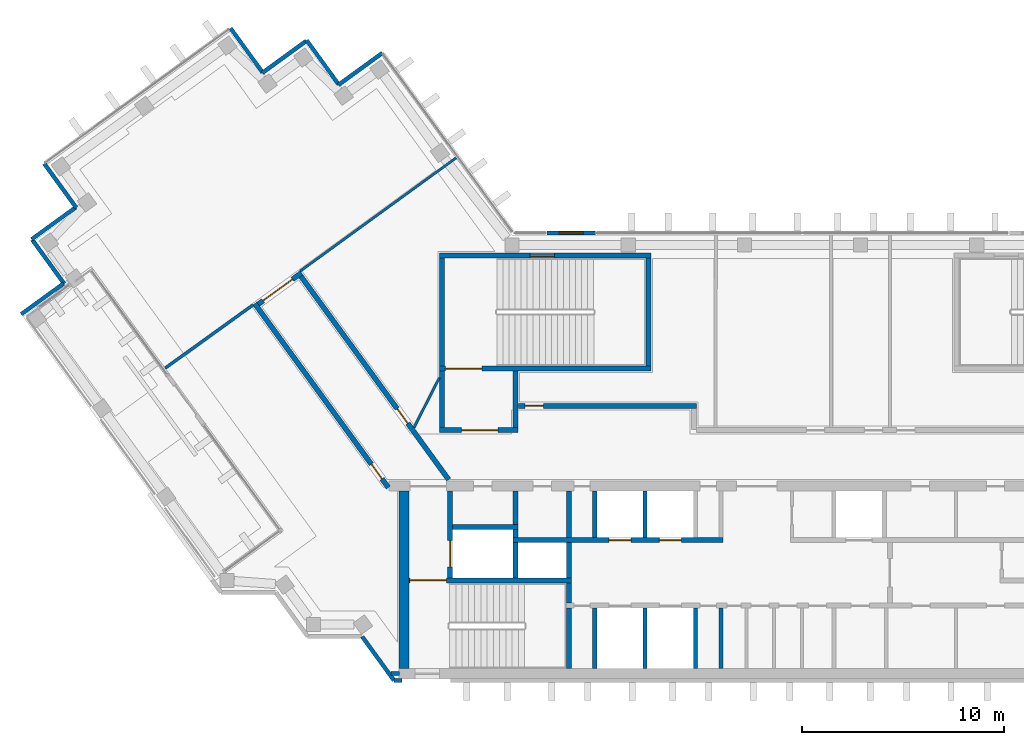
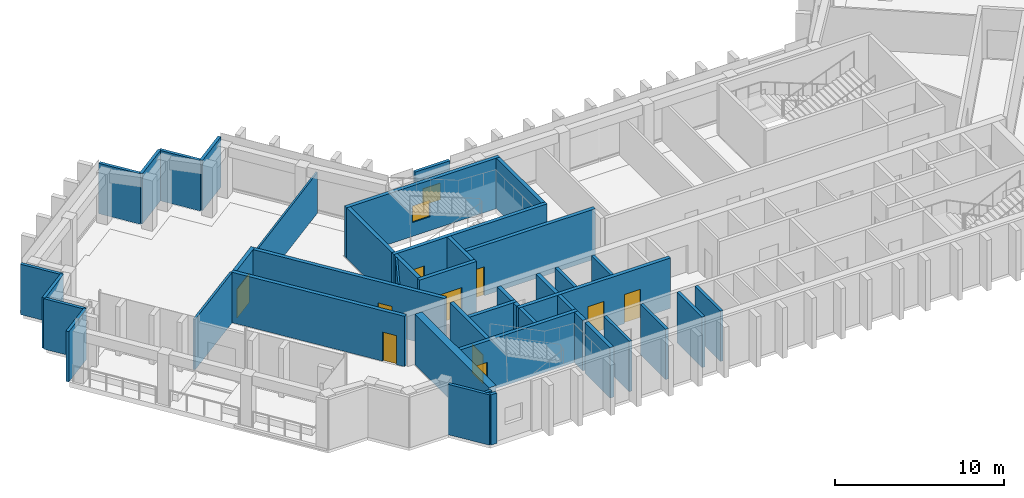
# One storey, part 5 of 10: 44 walls, 10 doors, 2 windows, 12 openings.
"""IFC4 building model written with IfcOpenShell, lengths in metres."""

from ifc_helpers import new_model, si_unit, direction, frame, frame_2d, origin, place, context, subcontext, project, spatial, rectangle, extrude, material, layer, layer_set, type_object, element, fill, save


model = new_model("IFC4")

# Units and contexts
model_context = context("Model", 3, precision=1e-05, world=origin(), true_north=direction((0.0, 1.0)))
body_context = subcontext(model_context, "Body", "Model", "MODEL_VIEW")
ifc_project = project(units=[si_unit("LENGTHUNIT", "METRE"), si_unit("AREAUNIT", "SQUARE_METRE"), si_unit("VOLUMEUNIT", "CUBIC_METRE"), si_unit("PLANEANGLEUNIT", "RADIAN"), si_unit("MASSUNIT", "GRAM", prefix="KILO")], contexts=[model_context])

# Site, building, storey
site_placement = place(None, origin())
site = spatial("IfcSite", under=ifc_project, at=site_placement, CompositionType="ELEMENT")
building_placement = place(site_placement, origin())
building = spatial("IfcBuilding", under=site, at=building_placement, Name="Quipu Civic Tower", CompositionType="ELEMENT")
storey_placement = place(building_placement, frame((0.0, 0.0, 261.0)))
storey = spatial("IfcBuildingStorey", under=building, at=storey_placement, Name="L61", CompositionType="ELEMENT", Elevation=261.0)

# Walls
ifc_material_1 = material(Name="Double gypsum plasterboard with mineral wool")
ifc_layer_1 = layer(ifc_material_1, 0.14990234375)
ifc_layer_set_1 = layer_set([ifc_layer_1], Name="Double gypsum plasterboard with mineral wool")
wall_type_1 = type_object("IfcWallType", Name="Acoustic partition 150 plasterboard", PredefinedType="PARTITIONING", material=ifc_layer_set_1)
wall_1_placement = place(storey_placement, frame((-31.599853515625, 4.396728515625, 0.0), z_axis=(0.0, 0.0, 1.0), x_axis=(0.811784350662, 0.583957334075, 0.0)))
element("IfcWall", 1, at=wall_1_placement, inside=storey, type_object=wall_type_1, Name="Partition P06", PredefinedType="PARTITIONING", context=body_context, shape_type="SweptSolid", body=[
    extrude(rectangle(XDim=5.369873046875, YDim=0.14990234375, at=frame_2d((2.68505859375, 0.0))), origin(), (0.0, 0.0, 1.0), 3.64990234375),
])
ifc_material_2 = material(Name="Concrete C70/85", Category="concrete")
ifc_layer_2 = layer(ifc_material_2, 0.25)
ifc_layer_set_2 = layer_set([ifc_layer_2], Name="Concrete C70/85")
wall_type_2 = type_object("IfcWallType", Name="Core wall 250", PredefinedType="SHEAR", material=ifc_layer_set_2)
wall_2_placement = place(storey_placement, frame((-11.574951171875, -10.5, 0.0), z_axis=(0.0, 0.0, 1.0), x_axis=(0.0, 1.0, 0.0)))
element("IfcWall", 2, at=wall_2_placement, inside=storey, type_object=wall_type_2, Name="Core wall", PredefinedType="SHEAR", context=body_context, shape_type="SweptSolid", body=[
    extrude(rectangle(XDim=3.0, YDim=0.25, at=frame_2d((1.5, 0.0))), origin(), (0.0, 0.0, 1.0), 3.64990234375),
])
wall_3_placement = place(storey_placement, frame((-11.574951171875, -7.25, 0.0), z_axis=(0.0, 0.0, 1.0), x_axis=(0.0, 1.0, 0.0)))
element("IfcWall", 3, at=wall_3_placement, inside=storey, type_object=wall_type_2, Name="Core wall", PredefinedType="SHEAR", context=body_context, shape_type="SweptSolid", body=[
    extrude(rectangle(XDim=1.0, YDim=0.25, at=frame_2d((0.5, 0.0))), origin(), (0.0, 0.0, 1.0), 3.64990234375),
])

# Wall, opening, door
wall_4_placement = place(storey_placement, frame((-11.449951171875, -6.125, 0.0), z_axis=(0.0, 0.0, 1.0), x_axis=(-1.0, 0.0, 0.0)))
wall_4 = element("IfcWall", 4, at=wall_4_placement, inside=storey, type_object=wall_type_2, Name="Core wall", PredefinedType="SHEAR", context=body_context, shape_type="SweptSolid", body=[
    extrude(rectangle(XDim=8.050048828125, YDim=0.25, at=frame_2d((4.02490234375, 0.0))), origin(), (0.0, 0.0, 1.0), 3.64990234375),
])
opening_1_placement = place(wall_4_placement, frame((6.199951171875, 0.0, 0.0)))
opening_1 = element("IfcOpeningElement", 5, at=opening_1_placement, cuts=wall_4, Name="Opening CD-10", PredefinedType="OPENING", context=body_context, shape_type="SweptSolid", body=[
    extrude(rectangle(XDim=1.800048828125, YDim=2.10009765625, at=frame_2d((0.89990234375, 1.050048828125))), frame((0.0, 0.135009765625, 0.0), z_axis=(0.0, -1.0, 0.0), x_axis=(1.0, 0.0, 0.0)), (0.0, 0.0, 1.0), 0.27001953125),
])
ifc_material_3 = material(Name="Fire rated steel door", Category="steel")
door_type_1 = type_object("IfcDoorType", Name="Fire door FD90 double 1800 x 2100", OperationType="NOTDEFINED", PredefinedType="DOOR", material=ifc_material_3)
door_1_placement = place(opening_1_placement, origin())
door_1 = element("IfcDoor", 6, at=door_1_placement, inside=storey, type_object=door_type_1, Name="Door", OperationType="DOUBLE_DOOR_SINGLE_SWING", OverallHeight=2.10009765625, OverallWidth=1.800048828125, PredefinedType="DOOR", context=body_context, shape_type="SweptSolid", body=[
    extrude(rectangle(XDim=1.800048828125, YDim=2.10009765625, at=frame_2d((0.89990234375, 1.050048828125))), frame((0.0, 0.02490234375, 0.0), z_axis=(0.0, -1.0, 0.0), x_axis=(1.0, 0.0, 0.0)), (0.0, 0.0, 1.0), 0.050048828125),
])
fill(opening_1, door_1)

wall_5_placement = place(storey_placement, frame((-17.47509765625, -6.0, 0.0), z_axis=(0.0, 0.0, 1.0), x_axis=(0.0, 1.0, 0.0)))
wall_5 = element("IfcWall", 7, at=wall_5_placement, inside=storey, type_object=wall_type_2, Name="Core wall", PredefinedType="SHEAR", context=body_context, shape_type="SweptSolid", body=[
    extrude(rectangle(XDim=4.300048828125, YDim=0.25, at=frame_2d((2.14990234375, 0.0))), origin(), (0.0, 0.0, 1.0), 3.64990234375),
])
opening_2_placement = place(wall_5_placement, frame((0.550048828125, 0.0, 0.0)))
opening_2 = element("IfcOpeningElement", 8, at=opening_2_placement, cuts=wall_5, Name="Opening LD-FF1", PredefinedType="OPENING", context=body_context, shape_type="SweptSolid", body=[
    extrude(rectangle(XDim=1.300048828125, YDim=2.10009765625, at=frame_2d((0.64990234375, 1.050048828125))), frame((0.0, 0.135009765625, 0.0), z_axis=(0.0, -1.0, 0.0), x_axis=(1.0, 0.0, 0.0)), (0.0, 0.0, 1.0), 0.27001953125),
])
ifc_material_4 = material(Name="Stainless steel", Category="steel")
door_type_2 = type_object("IfcDoorType", Name="Lift landing door 1300 x 2100", OperationType="DOUBLE_DOOR_SLIDING", PredefinedType="DOOR", material=ifc_material_4)
door_2_placement = place(opening_2_placement, origin())
door_2 = element("IfcDoor", 9, at=door_2_placement, inside=storey, type_object=door_type_2, Name="Landing door FF1", OperationType="DOUBLE_DOOR_SLIDING", OverallHeight=2.10009765625, OverallWidth=1.300048828125, PredefinedType="DOOR", context=body_context, shape_type="SweptSolid", body=[
    extrude(rectangle(XDim=1.300048828125, YDim=2.10009765625, at=frame_2d((0.64990234375, 1.050048828125))), frame((0.0, 0.02490234375, 0.0), z_axis=(0.0, -1.0, 0.0), x_axis=(1.0, 0.0, 0.0)), (0.0, 0.0, 1.0), 0.050048828125),
])
fill(opening_2, door_2)

# Walls
for number, where, z_axis, x_axis, name in (
    (10, (-14.22509765625, -6.0, 0.0), (0.0, 0.0, 1.0), (0.0, 1.0, 0.0), "Core wall"),
    (11, (-11.574951171875, -6.0, 0.0), (0.0, 0.0, 1.0), (0.0, 1.0, 0.0), "Core wall"),
):
    element("IfcWall", number, at=place(storey_placement, frame(where, z_axis=z_axis, x_axis=x_axis)), inside=storey, type_object=wall_type_2, Name=name, PredefinedType="SHEAR", context=body_context, shape_type="SweptSolid", body=[
        extrude(rectangle(XDim=1.75, YDim=0.25, at=frame_2d((0.875, 0.0))), origin(), (0.0, 0.0, 1.0), 3.64990234375),
    ])

# Wall, openings, doors
wall_6_placement = place(storey_placement, frame((-14.35009765625, -4.125, 0.0), z_axis=(0.0, 0.0, 1.0), x_axis=(1.0, 0.0, 0.0)))
wall_6 = element("IfcWall", 12, at=wall_6_placement, inside=storey, type_object=wall_type_2, Name="Core wall", PredefinedType="SHEAR", context=body_context, shape_type="SweptSolid", body=[
    extrude(rectangle(XDim=10.400146484375, YDim=0.25, at=frame_2d((5.2001953125, 0.0))), origin(), (0.0, 0.0, 1.0), 3.64990234375),
])
opening_3_placement = place(wall_6_placement, frame((4.75, 0.0, 0.0)))
opening_3 = element("IfcOpeningElement", 13, at=opening_3_placement, cuts=wall_6, Name="Opening LD-HL3", PredefinedType="OPENING", context=body_context, shape_type="SweptSolid", body=[
    extrude(rectangle(XDim=1.10009765625, YDim=2.10009765625, at=frame_2d((0.550048828125, 1.050048828125))), frame((0.0, 0.135009765625, 0.0), z_axis=(0.0, -1.0, 0.0), x_axis=(1.0, 0.0, 0.0)), (0.0, 0.0, 1.0), 0.27001953125),
])
opening_4_placement = place(wall_6_placement, frame((7.25, 0.0, 0.0)))
opening_4 = element("IfcOpeningElement", 14, at=opening_4_placement, cuts=wall_6, Name="Opening LD-HL4", PredefinedType="OPENING", context=body_context, shape_type="SweptSolid", body=[
    extrude(rectangle(XDim=1.10009765625, YDim=2.10009765625, at=frame_2d((0.550048828125, 1.050048828125))), frame((0.0, 0.135009765625, 0.0), z_axis=(0.0, -1.0, 0.0), x_axis=(1.0, 0.0, 0.0)), (0.0, 0.0, 1.0), 0.27001953125),
])
ifc_material_5 = material(Name="Stainless steel", Category="steel")
door_type_3 = type_object("IfcDoorType", Name="Lift landing door 1100 x 2100", OperationType="DOUBLE_DOOR_SLIDING", PredefinedType="DOOR", material=ifc_material_5)
door_3_placement = place(opening_3_placement, origin())
door_3 = element("IfcDoor", 15, at=door_3_placement, inside=storey, type_object=door_type_3, Name="Landing door HL3", OperationType="DOUBLE_DOOR_SLIDING", OverallHeight=2.10009765625, OverallWidth=1.10009765625, PredefinedType="DOOR", context=body_context, shape_type="SweptSolid", body=[
    extrude(rectangle(XDim=1.10009765625, YDim=2.10009765625, at=frame_2d((0.550048828125, 1.050048828125))), frame((0.0, 0.02490234375, 0.0), z_axis=(0.0, -1.0, 0.0), x_axis=(1.0, 0.0, 0.0)), (0.0, 0.0, 1.0), 0.050048828125),
])
fill(opening_3, door_3)
door_4_placement = place(opening_4_placement, origin())
door_4 = element("IfcDoor", 16, at=door_4_placement, inside=storey, type_object=door_type_3, Name="Landing door HL4", OperationType="DOUBLE_DOOR_SLIDING", OverallHeight=2.10009765625, OverallWidth=1.10009765625, PredefinedType="DOOR", context=body_context, shape_type="SweptSolid", body=[
    extrude(rectangle(XDim=1.10009765625, YDim=2.10009765625, at=frame_2d((0.550048828125, 1.050048828125))), frame((0.0, 0.02490234375, 0.0), z_axis=(0.0, -1.0, 0.0), x_axis=(1.0, 0.0, 0.0)), (0.0, 0.0, 1.0), 0.050048828125),
])
fill(opening_4, door_4)

# Walls
wall_7_placement = place(storey_placement, frame((-14.22509765625, -4.0, 0.0), z_axis=(0.0, 0.0, 1.0), x_axis=(0.0, 1.0, 0.0)))
element("IfcWall", 17, at=wall_7_placement, inside=storey, type_object=wall_type_2, Name="Core wall", PredefinedType="SHEAR", context=body_context, shape_type="SweptSolid", body=[
    extrude(rectangle(XDim=0.39990234375, YDim=0.25, at=frame_2d((0.199951171875, 0.0))), origin(), (0.0, 0.0, 1.0), 3.64990234375),
])
wall_8_placement = place(storey_placement, frame((-11.574951171875, -4.0, 0.0), z_axis=(0.0, 0.0, 1.0), x_axis=(0.0, 1.0, 0.0)))
element("IfcWall", 18, at=wall_8_placement, inside=storey, type_object=wall_type_2, Name="Core wall", PredefinedType="SHEAR", context=body_context, shape_type="SweptSolid", body=[
    extrude(rectangle(XDim=2.300048828125, YDim=0.25, at=frame_2d((1.14990234375, 0.0))), origin(), (0.0, 0.0, 1.0), 3.64990234375),
])
wall_9_placement = place(storey_placement, frame((-17.35009765625, -3.47509765625, 0.0), z_axis=(0.0, 0.0, 1.0), x_axis=(1.0, 0.0, 0.0)))
element("IfcWall", 19, at=wall_9_placement, inside=storey, type_object=wall_type_2, Name="Core wall", PredefinedType="SHEAR", context=body_context, shape_type="SweptSolid", body=[
    extrude(rectangle(XDim=3.25, YDim=0.25, at=frame_2d((1.625, 0.0))), origin(), (0.0, 0.0, 1.0), 3.64990234375),
])
wall_10_placement = place(storey_placement, frame((-14.22509765625, -3.35009765625, 0.0), z_axis=(0.0, 0.0, 1.0), x_axis=(0.0, 1.0, 0.0)))
element("IfcWall", 20, at=wall_10_placement, inside=storey, type_object=wall_type_2, Name="Core wall", PredefinedType="SHEAR", context=body_context, shape_type="SweptSolid", body=[
    extrude(rectangle(XDim=1.650146484375, YDim=0.25, at=frame_2d((0.8251953125, 0.0))), origin(), (0.0, 0.0, 1.0), 3.64990234375),
])

# Wall, opening, door
wall_11_placement = place(storey_placement, frame((-18.0, 1.324951171875, 0.0), z_axis=(0.0, 0.0, 1.0), x_axis=(1.0, 0.0, 0.0)))
wall_11 = element("IfcWall", 21, at=wall_11_placement, inside=storey, type_object=wall_type_2, Name="Core wall", PredefinedType="SHEAR", context=body_context, shape_type="SweptSolid", body=[
    extrude(rectangle(XDim=3.89990234375, YDim=0.25, at=frame_2d((1.949951171875, 0.0))), origin(), (0.0, 0.0, 1.0), 3.64990234375),
])
opening_5_placement = place(wall_11_placement, frame((1.10009765625, 0.0, 0.0)))
opening_5 = element("IfcOpeningElement", 22, at=opening_5_placement, cuts=wall_11, Name="Opening CD-27", PredefinedType="OPENING", context=body_context, shape_type="SweptSolid", body=[
    extrude(rectangle(XDim=1.800048828125, YDim=2.10009765625, at=frame_2d((0.89990234375, 1.050048828125))), frame((0.0, 0.135009765625, 0.0), z_axis=(0.0, -1.0, 0.0), x_axis=(1.0, 0.0, 0.0)), (0.0, 0.0, 1.0), 0.27001953125),
])
door_5_placement = place(opening_5_placement, origin())
door_5 = element("IfcDoor", 23, at=door_5_placement, inside=storey, type_object=door_type_1, Name="Lobby door", OperationType="DOUBLE_DOOR_SINGLE_SWING", OverallHeight=2.10009765625, OverallWidth=1.800048828125, PredefinedType="DOOR", context=body_context, shape_type="SweptSolid", body=[
    extrude(rectangle(XDim=1.800048828125, YDim=2.10009765625, at=frame_2d((0.89990234375, 1.050048828125))), frame((0.0, 0.02490234375, 0.0), z_axis=(0.0, -1.0, 0.0), x_axis=(1.0, 0.0, 0.0)), (0.0, 0.0, 1.0), 0.050048828125),
])
fill(opening_5, door_5)

# Walls
for number, where, z_axis, x_axis, name in (
    (24, (-17.875, 1.449951171875, 0.0), (0.0, 0.0, 1.0), (0.0, 1.0, 0.0), "Core wall"),
    (25, (-14.22509765625, 1.449951171875, 0.0), (0.0, 0.0, 1.0), (0.0, 1.0, 0.0), "Core wall"),
):
    element("IfcWall", number, at=place(storey_placement, frame(where, z_axis=z_axis, x_axis=x_axis)), inside=storey, type_object=wall_type_2, Name=name, PredefinedType="SHEAR", context=body_context, shape_type="SweptSolid", body=[
        extrude(rectangle(XDim=2.800048828125, YDim=0.25, at=frame_2d((1.39990234375, 0.0))), origin(), (0.0, 0.0, 1.0), 3.64990234375),
    ])

# Wall, opening, door
wall_12_placement = place(storey_placement, frame((-18.0, 4.375, 0.0), z_axis=(0.0, 0.0, 1.0), x_axis=(1.0, 0.0, 0.0)))
wall_12 = element("IfcWall", 26, at=wall_12_placement, inside=storey, type_object=wall_type_2, Name="Core wall", PredefinedType="SHEAR", context=body_context, shape_type="SweptSolid", body=[
    extrude(rectangle(XDim=10.5, YDim=0.25, at=frame_2d((5.25, 0.0))), origin(), (0.0, 0.0, 1.0), 3.64990234375),
])
opening_6_placement = place(wall_12_placement, frame((0.300048828125, 0.0, 0.0)))
opening_6 = element("IfcOpeningElement", 27, at=opening_6_placement, cuts=wall_12, Name="Opening CD-28", PredefinedType="OPENING", context=body_context, shape_type="SweptSolid", body=[
    extrude(rectangle(XDim=1.800048828125, YDim=2.10009765625, at=frame_2d((0.89990234375, 1.050048828125))), frame((0.0, 0.135009765625, 0.0), z_axis=(0.0, -1.0, 0.0), x_axis=(1.0, 0.0, 0.0)), (0.0, 0.0, 1.0), 0.27001953125),
])
door_6_placement = place(opening_6_placement, origin())
door_6 = element("IfcDoor", 28, at=door_6_placement, inside=storey, type_object=door_type_1, Name="Door", OperationType="DOUBLE_DOOR_SINGLE_SWING", OverallHeight=2.10009765625, OverallWidth=1.800048828125, PredefinedType="DOOR", context=body_context, shape_type="SweptSolid", body=[
    extrude(rectangle(XDim=1.800048828125, YDim=2.10009765625, at=frame_2d((0.89990234375, 1.050048828125))), frame((0.0, 0.02490234375, 0.0), z_axis=(0.0, -1.0, 0.0), x_axis=(1.0, 0.0, 0.0)), (0.0, 0.0, 1.0), 0.050048828125),
])
fill(opening_6, door_6)

# Walls
for number, where, z_axis, x_axis, name in (
    (29, (-17.875, 4.5, 0.0), (0.0, 0.0, 1.0), (0.0, 1.0, 0.0), "Core wall"),
    (30, (-7.625, 4.5, 0.0), (0.0, 0.0, 1.0), (0.0, 1.0, 0.0), "Core wall"),
):
    element("IfcWall", number, at=place(storey_placement, frame(where, z_axis=z_axis, x_axis=x_axis)), inside=storey, type_object=wall_type_2, Name=name, PredefinedType="SHEAR", context=body_context, shape_type="SweptSolid", body=[
        extrude(rectangle(XDim=5.35009765625, YDim=0.25, at=frame_2d((2.675048828125, 0.0))), origin(), (0.0, 0.0, 1.0), 3.64990234375),
    ])

# Wall, opening, window
wall_13_placement = place(storey_placement, frame((-18.0, 9.97509765625, 0.0), z_axis=(0.0, 0.0, 1.0), x_axis=(1.0, 0.0, 0.0)))
wall_13 = element("IfcWall", 31, at=wall_13_placement, inside=storey, type_object=wall_type_2, Name="Core wall", PredefinedType="SHEAR", context=body_context, shape_type="SweptSolid", body=[
    extrude(rectangle(XDim=10.5, YDim=0.25, at=frame_2d((5.25, 0.0))), origin(), (0.0, 0.0, 1.0), 3.64990234375),
])
opening_7_placement = place(wall_13_placement, frame((4.5, 0.0, 1.0)))
opening_7 = element("IfcOpeningElement", 32, at=opening_7_placement, cuts=wall_13, Name="Opening SV-3", PredefinedType="OPENING", context=body_context, shape_type="SweptSolid", body=[
    extrude(rectangle(XDim=1.199951171875, YDim=1.199951171875, at=frame_2d((0.60009765625, 0.60009765625))), frame((0.0, 0.135009765625, 0.0), z_axis=(0.0, -1.0, 0.0), x_axis=(1.0, 0.0, 0.0)), (0.0, 0.0, 1.0), 0.27001953125),
])
ifc_material_6 = material(Name="Aluminium louvre", Category="aluminium")
window_type_1 = type_object("IfcWindowType", Name="Stair ventilation louvre 1200 x 1200", PartitioningType="SINGLE_PANEL", PredefinedType="WINDOW", material=ifc_material_6)
window_1_placement = place(opening_7_placement, origin())
window_1 = element("IfcWindow", 33, at=window_1_placement, inside=storey, type_object=window_type_1, Name="Stair ventilation opening", OverallHeight=1.199951171875, OverallWidth=1.199951171875, PartitioningType="SINGLE_PANEL", PredefinedType="WINDOW", context=body_context, shape_type="SweptSolid", body=[
    extrude(rectangle(XDim=1.199951171875, YDim=1.199951171875, at=frame_2d((0.60009765625, 0.60009765625))), frame((0.0, 0.030029296875, 0.0), z_axis=(0.0, -1.0, 0.0), x_axis=(1.0, 0.0, 0.0)), (0.0, 0.0, 1.0), 0.06005859375),
])
fill(opening_7, window_1)

# Wall
ifc_material_7 = material(Name="Concrete C70/85", Category="concrete")
ifc_layer_3 = layer(ifc_material_7, 0.5)
ifc_layer_set_3 = layer_set([ifc_layer_3], Name="Concrete C70/85")
wall_type_3 = type_object("IfcWallType", Name="Core wall 500", PredefinedType="SHEAR", material=ifc_layer_set_3)
wall_14_placement = place(storey_placement, frame((-19.75, -10.5, 0.0), z_axis=(0.0, 0.0, 1.0), x_axis=(0.0, 1.0, 0.0)))
element("IfcWall", 34, at=wall_14_placement, inside=storey, type_object=wall_type_3, Name="Core wall", PredefinedType="SHEAR", context=body_context, shape_type="SweptSolid", body=[
    extrude(rectangle(XDim=8.800048828125, YDim=0.5, at=frame_2d((4.39990234375, 0.0))), origin(), (0.0, 0.0, 1.0), 3.64990234375),
])

# Wall, opening, door
ifc_material_8 = material(Name="Concrete C50/60", Category="concrete")
ifc_layer_4 = layer(ifc_material_8, 0.25)
ifc_layer_set_4 = layer_set([ifc_layer_4], Name="Concrete C50/60")
wall_type_4 = type_object("IfcWallType", Name="Corridor wall 250 concrete", PredefinedType="SOLIDWALL", material=ifc_layer_set_4)
wall_15_placement = place(storey_placement, frame((-20.531005859375, -1.5234375, 0.0), z_axis=(0.0, 0.0, 1.0), x_axis=(-0.587782646447, 0.809018887626, 0.0)))
wall_15 = element("IfcWall", 35, at=wall_15_placement, inside=storey, type_object=wall_type_4, Name="Corridor wall C04", PredefinedType="SOLIDWALL", context=body_context, shape_type="SweptSolid", body=[
    extrude(rectangle(XDim=11.270263671875, YDim=0.25, at=frame_2d((5.63525390625, 0.0))), origin(), (0.0, 0.0, 1.0), 3.64990234375),
])
opening_8_placement = place(wall_15_placement, frame((0.53271484375, 0.0, 0.0)))
opening_8 = element("IfcOpeningElement", 36, at=opening_8_placement, cuts=wall_15, Name="Opening D009", PredefinedType="OPENING", context=body_context, shape_type="SweptSolid", body=[
    extrude(rectangle(XDim=0.89990234375, YDim=2.10009765625, at=frame_2d((0.449951171875, 1.050048828125))), frame((0.0, 0.135009765625, 0.0), z_axis=(0.0, -1.0, 0.0), x_axis=(1.0, 0.0, 0.0)), (0.0, 0.0, 1.0), 0.27001953125),
])
ifc_material_9 = material(Name="Fire rated timber door set with metal frame", Category="wood")
door_type_4 = type_object("IfcDoorType", Name="Single door 900 x 2100 FD60", OperationType="NOTDEFINED", PredefinedType="DOOR", material=ifc_material_9)
door_7_placement = place(opening_8_placement, origin())
door_7 = element("IfcDoor", 37, at=door_7_placement, inside=storey, type_object=door_type_4, Name="Door D009", OperationType="SINGLE_SWING_LEFT", OverallHeight=2.10009765625, OverallWidth=0.89990234375, PredefinedType="DOOR", context=body_context, shape_type="SweptSolid", body=[
    extrude(rectangle(XDim=0.89990234375, YDim=2.10009765625, at=frame_2d((0.449951171875, 1.050048828125))), frame((0.0, 0.02490234375, 0.0), z_axis=(0.0, -1.0, 0.0), x_axis=(1.0, 0.0, 0.0)), (0.0, 0.0, 1.0), 0.050048828125),
])
fill(opening_8, door_7)

wall_16_placement = place(storey_placement, frame((-26.98095703125, 7.56689453125, 0.0), z_axis=(0.0, 0.0, 1.0), x_axis=(0.809038743598, 0.587755315891, 0.0)))
wall_16 = element("IfcWall", 38, at=wall_16_placement, inside=storey, type_object=wall_type_4, Name="Corridor wall C05", PredefinedType="SOLIDWALL", context=body_context, shape_type="SweptSolid", body=[
    extrude(rectangle(XDim=2.650146484375, YDim=0.25, at=frame_2d((1.3251953125, 0.0))), origin(), (0.0, 0.0, 1.0), 3.64990234375),
])
opening_9_placement = place(wall_16_placement, frame((0.299560546875, 0.0, 0.0)))
opening_9 = element("IfcOpeningElement", 39, at=opening_9_placement, cuts=wall_16, Name="Opening D010", PredefinedType="OPENING", context=body_context, shape_type="SweptSolid", body=[
    extrude(rectangle(XDim=1.800048828125, YDim=2.10009765625, at=frame_2d((0.89990234375, 1.050048828125))), frame((0.0, 0.135009765625, 0.0), z_axis=(0.0, -1.0, 0.0), x_axis=(1.0, 0.0, 0.0)), (0.0, 0.0, 1.0), 0.27001953125),
])
ifc_material_10 = material(Name="Fire rated timber door set with metal frame", Category="wood")
door_type_5 = type_object("IfcDoorType", Name="Double door 1800 x 2100 FD60", OperationType="DOUBLE_DOOR_SINGLE_SWING", PredefinedType="DOOR", material=ifc_material_10)
door_8_placement = place(opening_9_placement, origin())
door_8 = element("IfcDoor", 40, at=door_8_placement, inside=storey, type_object=door_type_5, Name="Door D010", OperationType="DOUBLE_DOOR_SINGLE_SWING", OverallHeight=2.10009765625, OverallWidth=1.800048828125, PredefinedType="DOOR", context=body_context, shape_type="SweptSolid", body=[
    extrude(rectangle(XDim=1.800048828125, YDim=2.10009765625, at=frame_2d((0.89990234375, 1.050048828125))), frame((0.0, 0.02490234375, 0.0), z_axis=(0.0, -1.0, 0.0), x_axis=(1.0, 0.0, 0.0)), (0.0, 0.0, 1.0), 0.050048828125),
])
fill(opening_9, door_8)

wall_17_placement = place(storey_placement, frame((-24.86474609375, 8.949951171875, 0.0), z_axis=(0.0, 0.0, 1.0), x_axis=(0.587791617212, -0.809012369952, 0.0)))
wall_17 = element("IfcWall", 41, at=wall_17_placement, inside=storey, type_object=wall_type_4, Name="Corridor wall C06", PredefinedType="SOLIDWALL", context=body_context, shape_type="SweptSolid", body=[
    extrude(rectangle(XDim=12.453125, YDim=0.25, at=frame_2d((6.2265625, 0.0))), origin(), (0.0, 0.0, 1.0), 3.64990234375),
])
opening_10_placement = place(wall_17_placement, frame((8.111572265625, 0.0, 0.0)))
opening_10 = element("IfcOpeningElement", 42, at=opening_10_placement, cuts=wall_17, Name="Opening D008", PredefinedType="OPENING", context=body_context, shape_type="SweptSolid", body=[
    extrude(rectangle(XDim=0.89990234375, YDim=2.10009765625, at=frame_2d((0.449951171875, 1.050048828125))), frame((0.0, 0.135009765625, 0.0), z_axis=(0.0, -1.0, 0.0), x_axis=(1.0, 0.0, 0.0)), (0.0, 0.0, 1.0), 0.27001953125),
])
door_9_placement = place(opening_10_placement, origin())
door_9 = element("IfcDoor", 43, at=door_9_placement, inside=storey, type_object=door_type_4, Name="Door D008", OperationType="SINGLE_SWING_RIGHT", OverallHeight=2.10009765625, OverallWidth=0.89990234375, PredefinedType="DOOR", context=body_context, shape_type="SweptSolid", body=[
    extrude(rectangle(XDim=0.89990234375, YDim=2.10009765625, at=frame_2d((0.449951171875, 1.050048828125))), frame((0.0, 0.02490234375, 0.0), z_axis=(0.0, -1.0, 0.0), x_axis=(1.0, 0.0, 0.0)), (0.0, 0.0, 1.0), 0.050048828125),
])
fill(opening_10, door_9)

wall_18_placement = place(storey_placement, frame((-14.090087890625, 2.52490234375, 0.0), z_axis=(0.0, 0.0, 1.0), x_axis=(1.0, 0.0, 0.0)))
wall_18 = element("IfcWall", 44, at=wall_18_placement, inside=storey, type_object=wall_type_4, Name="Corridor wall C07", PredefinedType="SOLIDWALL", context=body_context, shape_type="SweptSolid", body=[
    extrude(rectangle(XDim=8.840087890625, YDim=0.25, at=frame_2d((4.419921875, 0.0))), origin(), (0.0, 0.0, 1.0), 3.64990234375),
])
opening_11_placement = place(wall_18_placement, frame((0.340087890625, 0.0, 0.0)))
opening_11 = element("IfcOpeningElement", 45, at=opening_11_placement, cuts=wall_18, Name="Opening D004", PredefinedType="OPENING", context=body_context, shape_type="SweptSolid", body=[
    extrude(rectangle(XDim=0.89990234375, YDim=2.10009765625, at=frame_2d((0.449951171875, 1.050048828125))), frame((0.0, 0.135009765625, 0.0), z_axis=(0.0, -1.0, 0.0), x_axis=(1.0, 0.0, 0.0)), (0.0, 0.0, 1.0), 0.27001953125),
])
door_10_placement = place(opening_11_placement, origin())
door_10 = element("IfcDoor", 46, at=door_10_placement, inside=storey, type_object=door_type_4, Name="Door D004", OperationType="SINGLE_SWING_LEFT", OverallHeight=2.10009765625, OverallWidth=0.89990234375, PredefinedType="DOOR", context=body_context, shape_type="SweptSolid", body=[
    extrude(rectangle(XDim=0.89990234375, YDim=2.10009765625, at=frame_2d((0.449951171875, 1.050048828125))), frame((0.0, 0.02490234375, 0.0), z_axis=(0.0, -1.0, 0.0), x_axis=(1.0, 0.0, 0.0)), (0.0, 0.0, 1.0), 0.050048828125),
])
fill(opening_11, door_10)

# Walls
ifc_material_11 = material(Name="Gypsum plasterboard on light gauge framing")
ifc_layer_5 = layer(ifc_material_11, 0.1201171875)
ifc_layer_set_5 = layer_set([ifc_layer_5], Name="Gypsum plasterboard on light gauge framing")
wall_type_5 = type_object("IfcWallType", Name="Partition 120 plasterboard", PredefinedType="PARTITIONING", material=ifc_layer_set_5)
wall_19_placement = place(storey_placement, frame((-17.17236328125, 14.822509765625, 0.0), z_axis=(0.0, 0.0, 1.0), x_axis=(-0.809034479891, -0.587761184791, 0.0)))
element("IfcWall", 47, at=wall_19_placement, inside=storey, type_object=wall_type_5, Name="Partition P02", PredefinedType="PARTITIONING", context=body_context, shape_type="SweptSolid", body=[
    extrude(rectangle(XDim=9.549560546875, YDim=0.1201171875, at=frame_2d((4.77490234375, 0.0))), origin(), (0.0, 0.0, 1.0), 2.949951171875),
])
wall_20_placement = place(storey_placement, frame((-19.260986328125, 1.449951171875, 0.0), z_axis=(0.0, 0.0, 1.0), x_axis=(0.453950796792, 0.891026752736, 0.0)))
element("IfcWall", 48, at=wall_20_placement, inside=storey, type_object=wall_type_5, Name="Partition P09", PredefinedType="PARTITIONING", context=body_context, shape_type="SweptSolid", body=[
    extrude(rectangle(XDim=2.77783203125, YDim=0.1201171875, at=frame_2d((1.388916015625, 0.0))), origin(), (0.0, 0.0, 1.0), 3.64990234375),
])
ifc_material_12 = material(Name="Precast concrete C40/50", Category="concrete")
wall_type_6 = type_object("IfcWallType", Name="Precast cladding wall", PredefinedType="SOLIDWALL", material=ifc_material_12)
wall_21_placement = place(storey_placement, frame((-21.8330078125, -8.90869140625, 0.0), z_axis=(0.0, 0.0, 1.0), x_axis=(0.587766567315, -0.809030569476, 0.0)))
element("IfcWall", 49, at=wall_21_placement, inside=storey, type_object=wall_type_6, Name="Precast cladding wall L61 P01", PredefinedType="SOLIDWALL", context=body_context, shape_type="SweptSolid", body=[
    extrude(rectangle(XDim=2.687744140625, YDim=0.199951171875, at=frame_2d((1.34375, 0.0))), origin(), (0.0, 0.0, 1.0), 3.64990234375),
])
wall_22_placement = place(storey_placement, frame((-20.255859375, -11.087890625, 0.0), z_axis=(0.0, 0.0, 1.0), x_axis=(1.0, 0.0, 0.0)))
element("IfcWall", 50, at=wall_22_placement, inside=storey, type_object=wall_type_6, Name="Precast cladding wall L61 P02", PredefinedType="SOLIDWALL", context=body_context, shape_type="SweptSolid", body=[
    extrude(rectangle(XDim=0.40576171875, YDim=0.199951171875, at=frame_2d((0.202880859375, 0.0))), origin(), (0.0, 0.0, 1.0), 3.64990234375),
])

# Wall, opening, window
wall_23_placement = place(storey_placement, frame((-10.263427734375, 11.10009765625, 0.0), z_axis=(0.0, 0.0, 1.0), x_axis=(-1.0, 0.0, 0.0)))
wall_23 = element("IfcWall", 51, at=wall_23_placement, inside=storey, type_object=wall_type_6, Name="Vent surround SF-L59-1", PredefinedType="SOLIDWALL", context=body_context, shape_type="SweptSolid", body=[
    extrude(rectangle(XDim=2.3916015625, YDim=0.199951171875, at=frame_2d((1.19580078125, 0.0))), origin(), (0.0, 0.0, 1.0), 3.64990234375),
])
opening_12_placement = place(wall_23_placement, frame((0.595703125, 0.0, 1.0)))
opening_12 = element("IfcOpeningElement", 52, at=opening_12_placement, cuts=wall_23, Name="Opening SF-L59-1", PredefinedType="OPENING", context=body_context, shape_type="SweptSolid", body=[
    extrude(rectangle(XDim=1.199951171875, YDim=1.199951171875, at=frame_2d((0.60009765625, 0.60009765625))), frame((0.0, 0.10986328125, 0.0), z_axis=(0.0, -1.0, 0.0), x_axis=(1.0, 0.0, 0.0)), (0.0, 0.0, 1.0), 0.219970703125),
])
ifc_material_13 = material(Name="Anodised aluminium louvre", Category="aluminium")
window_type_2 = type_object("IfcWindowType", Name="Stair vent louvre window P3", PartitioningType="SINGLE_PANEL", PredefinedType="WINDOW", material=ifc_material_13)
window_2_placement = place(opening_12_placement, origin())
window_2 = element("IfcWindow", 53, at=window_2_placement, inside=storey, type_object=window_type_2, Name="Stair vent louvre SF-L59-1", OverallHeight=1.199951171875, OverallWidth=1.199951171875, PartitioningType="SINGLE_PANEL", PredefinedType="WINDOW", context=body_context, shape_type="SweptSolid", body=[
    extrude(rectangle(XDim=1.199951171875, YDim=1.199951171875, at=frame_2d((0.60009765625, 0.60009765625))), frame((0.0, 0.030029296875, 0.0), z_axis=(0.0, -1.0, 0.0), x_axis=(1.0, 0.0, 0.0)), (0.0, 0.0, 1.0), 0.06005859375),
])
fill(opening_12, window_2)

# Walls
for number, where, z_axis, x_axis, name in (
    (54, (-20.828857421875, 20.025390625, 0.0), (0.0, 0.0, 1.0), (-0.808990163075, -0.587822180636, 0.0), "Precast cladding wall L61 P27"),
    (55, (-22.996337890625, 18.465576171875, 0.0), (0.0, 0.0, 1.0), (-0.587762999008, 0.809033161865, 0.0), "Precast cladding wall L61 P28"),
):
    element("IfcWall", number, at=place(storey_placement, frame(where, z_axis=z_axis, x_axis=x_axis)), inside=storey, type_object=wall_type_6, Name=name, PredefinedType="SOLIDWALL", context=body_context, shape_type="SweptSolid", body=[
        extrude(rectangle(XDim=2.699951171875, YDim=0.199951171875, at=frame_2d((1.35009765625, 0.0))), origin(), (0.0, 0.0, 1.0), 3.64990234375),
    ])
for number, where, z_axis, x_axis, name in (
    (56, (-24.60009765625, 20.62255859375, 0.0), (0.0, 0.0, 1.0), (-0.809064397168, -0.587720002413, 0.0), "Precast cladding wall L61 P29"),
    (57, (-26.767578125, 19.062744140625, 0.0), (0.0, 0.0, 1.0), (-0.587720002413, 0.809064397168, 0.0), "Precast cladding wall L61 P30"),
):
    element("IfcWall", number, at=place(storey_placement, frame(where, z_axis=z_axis, x_axis=x_axis)), inside=storey, type_object=wall_type_6, Name=name, PredefinedType="SOLIDWALL", context=body_context, shape_type="SweptSolid", body=[
        extrude(rectangle(XDim=2.7001953125, YDim=0.199951171875, at=frame_2d((1.35009765625, 0.0))), origin(), (0.0, 0.0, 1.0), 3.64990234375),
    ])
wall_24_placement = place(storey_placement, frame((-37.591796875, 14.535888671875, 0.0), z_axis=(0.0, 0.0, 1.0), x_axis=(0.587762999008, -0.809033161865, 0.0)))
element("IfcWall", 58, at=wall_24_placement, inside=storey, type_object=wall_type_6, Name="Precast cladding wall L61 P32", PredefinedType="SOLIDWALL", context=body_context, shape_type="SweptSolid", body=[
    extrude(rectangle(XDim=2.699951171875, YDim=0.199951171875, at=frame_2d((1.35009765625, 0.0))), origin(), (0.0, 0.0, 1.0), 3.64990234375),
])
wall_25_placement = place(storey_placement, frame((-36.62939453125, 8.597412109375, 0.0), z_axis=(0.0, 0.0, 1.0), x_axis=(-0.80901210161, -0.587791986546, 0.0)))
element("IfcWall", 59, at=wall_25_placement, inside=storey, type_object=wall_type_6, Name="Precast cladding wall L61 9", PredefinedType="SOLIDWALL", context=body_context, shape_type="SweptSolid", body=[
    extrude(rectangle(XDim=2.60009765625, YDim=0.199951171875, at=frame_2d((1.300048828125, 0.0))), origin(), (0.0, 0.0, 1.0), 3.64990234375),
])
for number, where, z_axis, x_axis, name in (
    (60, (-36.031982421875, 12.36865234375, 0.0), (0.0, 0.0, 1.0), (-0.809033161865, -0.587762999008, 0.0), "Precast cladding wall L61 10"),
    (61, (-38.189208984375, 10.7646484375, 0.0), (0.0, 0.0, 1.0), (0.587822180636, -0.808990163075, 0.0), "Precast cladding wall L61 11"),
):
    element("IfcWall", number, at=place(storey_placement, frame(where, z_axis=z_axis, x_axis=x_axis)), inside=storey, type_object=wall_type_6, Name=name, PredefinedType="SOLIDWALL", context=body_context, shape_type="SweptSolid", body=[
        extrude(rectangle(XDim=2.699951171875, YDim=0.199951171875, at=frame_2d((1.35009765625, 0.0))), origin(), (0.0, 0.0, 1.0), 3.64990234375),
    ])
wall_26_placement = place(storey_placement, frame((-19.97998046875, -10.75, 0.0), z_axis=(0.0, 0.0, 1.0), x_axis=(-1.0, 0.0, 0.0)))
element("IfcWall", 62, at=wall_26_placement, inside=storey, type_object=wall_type_6, Name="Precast cladding return L61 W", PredefinedType="SOLIDWALL", context=body_context, shape_type="SweptSolid", body=[
    extrude(rectangle(XDim=0.41650390625, YDim=0.199951171875, at=frame_2d((0.208251953125, 0.0))), origin(), (0.0, 0.0, 1.0), 3.64990234375),
])
ifc_material_14 = material(Name="Concrete C40/50", Category="concrete")
ifc_layer_6 = layer(ifc_material_14, 0.199951171875)
ifc_layer_set_6 = layer_set([ifc_layer_6], Name="Concrete C40/50")
wall_type_7 = type_object("IfcWallType", Name="Shaft wall 200", PredefinedType="SOLIDWALL", material=ifc_layer_set_6)
for number, where, z_axis, x_axis, name in (
    (63, (-10.300048828125, -10.5, 0.0), (0.0, 0.0, 1.0), (0.0, 1.0, 0.0), "Shaft wall"),
    (64, (-7.800048828125, -10.5, 0.0), (0.0, 0.0, 1.0), (0.0, 1.0, 0.0), "Shaft wall"),
    (65, (-5.300048828125, -10.5, 0.0), (0.0, 0.0, 1.0), (0.0, 1.0, 0.0), "Shaft wall"),
    (66, (-4.050048828125, -10.5, 0.0), (0.0, 0.0, 1.0), (0.0, 1.0, 0.0), "Shaft wall"),
):
    element("IfcWall", number, at=place(storey_placement, frame(where, z_axis=z_axis, x_axis=x_axis)), inside=storey, type_object=wall_type_7, Name=name, PredefinedType="SOLIDWALL", context=body_context, shape_type="SweptSolid", body=[
        extrude(rectangle(XDim=3.0, YDim=0.199951171875, at=frame_2d((1.5, 0.0))), origin(), (0.0, 0.0, 1.0), 3.64990234375),
    ])
for number, where, z_axis, x_axis, name in (
    (67, (-10.300048828125, -4.0, 0.0), (0.0, 0.0, 1.0), (0.0, 1.0, 0.0), "Shaft wall"),
    (68, (-7.800048828125, -4.0, 0.0), (0.0, 0.0, 1.0), (0.0, 1.0, 0.0), "Shaft wall"),
):
    element("IfcWall", number, at=place(storey_placement, frame(where, z_axis=z_axis, x_axis=x_axis)), inside=storey, type_object=wall_type_7, Name=name, PredefinedType="SOLIDWALL", context=body_context, shape_type="SweptSolid", body=[
        extrude(rectangle(XDim=2.300048828125, YDim=0.199951171875, at=frame_2d((1.14990234375, 0.0))), origin(), (0.0, 0.0, 1.0), 3.64990234375),
    ])

save(model, "model.ifc")
